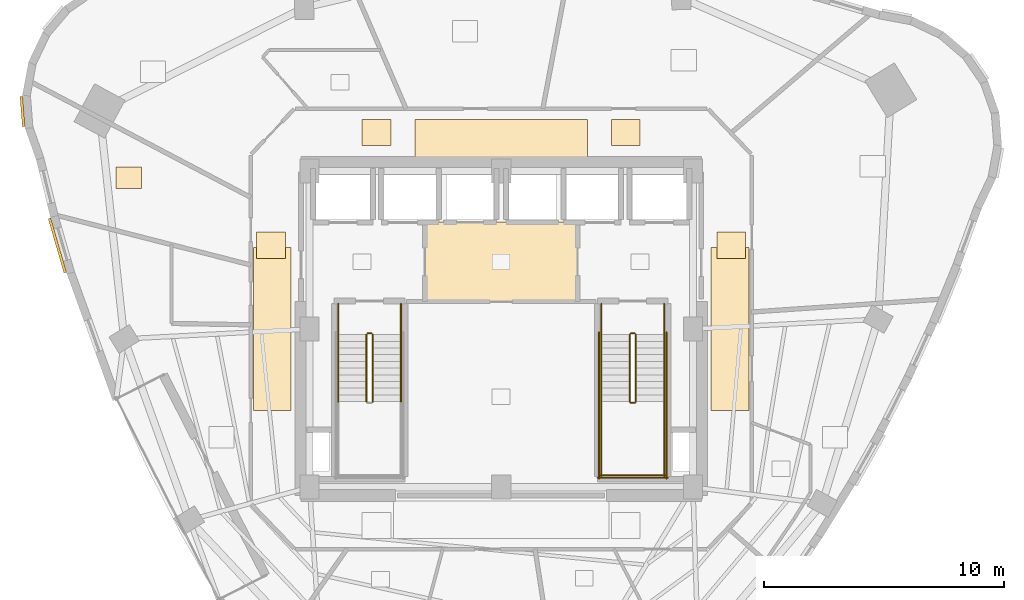
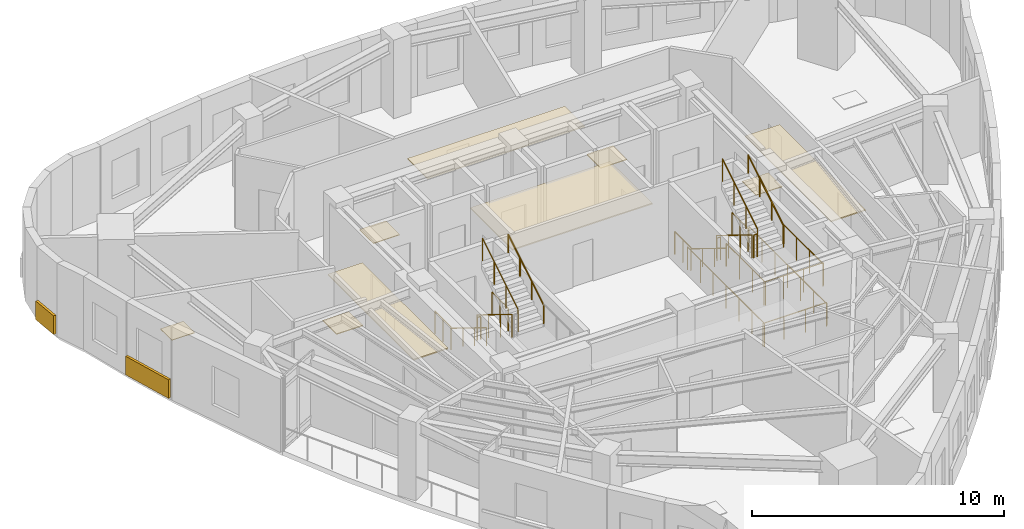
# One storey, part 11 of 12: 21 railings, 11 coverings.
"""IFC4 building model written with IfcOpenShell, lengths in metres."""

from ifc_helpers import new_model, si_unit, direction, frame, origin, origin_2d, place, context, subcontext, project, spatial, rectangle, circle, extrude, material, layer, layer_set, type_object, element, save


model = new_model("IFC4")

# Units and contexts
model_context = context("Model", 3, precision=1e-05, world=origin(), true_north=direction((0.0, 1.0)))
body_context = subcontext(model_context, "Body", "Model", "MODEL_VIEW")
ifc_project = project(units=[si_unit("LENGTHUNIT", "METRE"), si_unit("AREAUNIT", "SQUARE_METRE"), si_unit("VOLUMEUNIT", "CUBIC_METRE"), si_unit("PLANEANGLEUNIT", "RADIAN"), si_unit("MASSUNIT", "GRAM", prefix="KILO")], contexts=[model_context])

# Site, building, storey
site_placement = place(None, origin())
site = spatial("IfcSite", under=ifc_project, at=site_placement, CompositionType="ELEMENT")
building_placement = place(site_placement, origin())
building = spatial("IfcBuilding", under=site, at=building_placement, Name="Ndelora Gate Hotel", CompositionType="ELEMENT")
storey_placement = place(building_placement, frame((0.0, 0.0, 201.75)))
storey = spatial("IfcBuildingStorey", under=building, at=storey_placement, Name="L50", CompositionType="ELEMENT", Elevation=201.75)

# Coverings
ifc_material_1 = material(Name="Perforated Acoustic Gypsum Board", Category="gypsum")
ifc_layer_1 = layer(ifc_material_1, 0.054931640625)
ifc_layer_set_1 = layer_set([ifc_layer_1], Name="Perforated Acoustic Gypsum Board")
covering_type_1 = type_object("IfcCoveringType", Name="COV-CEIL-AC60", PredefinedType="CEILING", material=ifc_layer_set_1)
covering_1_placement = place(storey_placement, frame((0.0, 2.800048828125, 2.72265625), z_axis=(0.0, 0.0, 1.0), x_axis=(1.0, 0.0, 0.0)))
element("IfcCovering", 1, at=covering_1_placement, inside=storey, type_object=covering_type_1, Name="L50 Lift Lobby Acoustic Ceiling", PredefinedType="CEILING", context=body_context, shape_type="SweptSolid", body=[
    extrude(rectangle(XDim=6.39990234375, YDim=3.340087890625, at=origin_2d()), origin(), (0.0, 0.0, 1.0), 0.054931640625),
])
covering_2_placement = place(storey_placement, frame((0.0, 7.9599609375, 2.65234375), z_axis=(0.0, 0.0, 1.0), x_axis=(1.0, 0.0, 0.0)))
element("IfcCovering", 2, at=covering_2_placement, inside=storey, type_object=covering_type_1, Name="L50 Guest Corridor Acoustic Ceiling N", PredefinedType="CEILING", context=body_context, shape_type="SweptSolid", body=[
    extrude(rectangle(XDim=7.199951171875, YDim=1.580078125, at=origin_2d()), origin(), (0.0, 0.0, 1.0), 0.054931640625),
])
for number, where, z_axis, x_axis, name in (
    (3, (-9.550048828125, 0.0, 2.65234375), (0.0, 0.0, 1.0), (1.0, 0.0, 0.0), "L50 Guest Corridor Acoustic Ceiling W"),
    (4, (9.550048828125, 0.0, 2.65234375), (0.0, 0.0, 1.0), (1.0, 0.0, 0.0), "L50 Guest Corridor Acoustic Ceiling E"),
):
    element("IfcCovering", number, at=place(storey_placement, frame(where, z_axis=z_axis, x_axis=x_axis)), inside=storey, type_object=covering_type_1, Name=name, PredefinedType="CEILING", context=body_context, shape_type="SweptSolid", body=[
        extrude(rectangle(XDim=1.580078125, YDim=6.800048828125, at=origin_2d()), origin(), (0.0, 0.0, 1.0), 0.054931640625),
    ])
ifc_material_2 = material(Name="Terracotta Fired Clay Brick Slip Cladding", Category="masonry")
ifc_layer_2 = layer(ifc_material_2, 0.110107421875)
ifc_layer_set_2 = layer_set([ifc_layer_2], Name="Terracotta Fired Clay Brick Slip Cladding")
covering_type_2 = type_object("IfcCoveringType", Name="COV-CLAD-BRK", PredefinedType="CLADDING", material=ifc_layer_set_2)
covering_3_placement = place(storey_placement, frame((-19.97412109375, 9.070556640625, 0.10009765625), z_axis=(0.0, 0.0, 1.0), x_axis=(-0.078459095728, 0.996917333733, 0.0)))
element("IfcCovering", 5, at=covering_3_placement, inside=storey, type_object=covering_type_2, Name="L50 Rounded-Corner Brick Cladding Band 7", PredefinedType="CLADDING", context=body_context, shape_type="SweptSolid", body=[
    extrude(rectangle(XDim=1.257080078125, YDim=0.110107421875, at=origin_2d()), origin(), (0.0, 0.0, 1.0), 0.89990234375),
])
covering_4_placement = place(storey_placement, frame((-18.51953125, 3.484130859375, 0.10009765625), z_axis=(0.0, 0.0, 1.0), x_axis=(-0.278488259221, 0.960439633437, 0.0)))
element("IfcCovering", 6, at=covering_4_placement, inside=storey, type_object=covering_type_2, Name="L50 Rounded-Corner Brick Cladding Band 10", PredefinedType="CLADDING", context=body_context, shape_type="SweptSolid", body=[
    extrude(rectangle(XDim=2.35888671875, YDim=0.110107421875, at=origin_2d()), origin(), (0.0, 0.0, 1.0), 0.89990234375),
])
ifc_material_3 = material(Name="Engineered Highland Oak Parquet", Category="wood")
ifc_layer_3 = layer(ifc_material_3, 0.030029296875)
ifc_layer_set_3 = layer_set([ifc_layer_3], Name="Engineered Highland Oak Parquet")
covering_type_3 = type_object("IfcCoveringType", Name="COV-FLR-PARQ", PredefinedType="FLOORING", material=ifc_layer_set_3)
covering_5_placement = place(storey_placement, frame((-15.541748046875, 6.30517578125, 0.0), z_axis=(0.0, 0.0, 1.0), x_axis=(1.0, 0.0, 0.0)))
element("IfcCovering", 7, at=covering_5_placement, inside=storey, type_object=covering_type_3, Name="L50 Housekeeping and Linen Room Oak Parquet Flooring", PredefinedType="FLOORING", context=body_context, shape_type="SweptSolid", body=[
    extrude(rectangle(XDim=1.050048828125, YDim=0.89990234375, at=origin_2d()), origin(), (0.0, 0.0, 1.0), 0.030029296875),
])
ifc_material_4 = material(Name="Polished Highland Stone Terrazzo", Category="masonry")
ifc_layer_4 = layer(ifc_material_4, 0.034912109375)
ifc_layer_set_4 = layer_set([ifc_layer_4], Name="Polished Highland Stone Terrazzo")
covering_type_4 = type_object("IfcCoveringType", Name="COV-FLR-TERZ", PredefinedType="FLOORING", material=ifc_layer_set_4)
for number, where, z_axis, x_axis, name in (
    (8, (-5.199951171875, 8.199951171875, 0.0), (0.0, 0.0, 1.0), (1.0, 0.0, 0.0), "L50 Corridor Threshold Terrazzo Inlay NW"),
    (9, (5.199951171875, 8.199951171875, 0.0), (0.0, 0.0, 1.0), (1.0, 0.0, 0.0), "L50 Corridor Threshold Terrazzo Inlay NE"),
    (10, (-9.60009765625, 3.5, 0.0), (0.0, 0.0, 1.0), (1.0, 0.0, 0.0), "L50 Corridor Threshold Terrazzo Inlay W"),
    (11, (9.60009765625, 3.5, 0.0), (0.0, 0.0, 1.0), (1.0, 0.0, 0.0), "L50 Corridor Threshold Terrazzo Inlay E"),
):
    element("IfcCovering", number, at=place(storey_placement, frame(where, z_axis=z_axis, x_axis=x_axis)), inside=storey, type_object=covering_type_4, Name=name, PredefinedType="FLOORING", context=body_context, shape_type="SweptSolid", body=[
        extrude(rectangle(XDim=1.199951171875, YDim=1.10009765625, at=origin_2d()), origin(), (0.0, 0.0, 1.0), 0.034912109375),
    ])

# Railings
ifc_material_5 = material(Name="Painted Galvanized Steel Balustrade", Category="steel")
ifc_layer_5 = layer(ifc_material_5, 0.06005859375)
ifc_layer_set_5 = layer_set([ifc_layer_5], Name="Painted Galvanized Steel Balustrade")
railing_type_1 = type_object("IfcRailingType", Name="RL-STAIR-GD", PredefinedType="GUARDRAIL", material=ifc_layer_set_5)
railing_1_placement = place(storey_placement, frame((-5.6201171875, -0.22998046875, 0.172607421875)))
element("IfcRailing", 12, at=railing_1_placement, inside=storey, type_object=railing_type_1, Name="L50 ST4 stair guard 1", PredefinedType="GUARDRAIL", context=body_context, shape_type="SweptSolid", body=[
    extrude(circle(Radius=0.02392578125, at=origin_2d()), frame((0.0, 0.0, 1.10595703125), z_axis=(0.0, -0.851089632645, 0.525020415988), x_axis=(1.0, 0.0, 0.0)), (0.0, 0.0, 1.0), 3.2900390625),
    extrude(circle(Radius=0.02099609375, at=origin_2d()), origin(), (0.0, 0.0, 1.0), 1.081787109375),
    extrude(circle(Radius=0.02099609375, at=origin_2d()), frame((0.0, -0.933349609375, 0.57568359375)), (0.0, 0.0, 1.0), 1.081787109375),
    extrude(circle(Radius=0.02099609375, at=origin_2d()), frame((0.0, -1.86669921875, 1.151611328125)), (0.0, 0.0, 1.0), 1.081787109375),
    extrude(circle(Radius=0.02099609375, at=origin_2d()), frame((0.0, -2.800048828125, 1.727294921875)), (0.0, 0.0, 1.0), 1.081787109375),
])
railing_2_placement = place(storey_placement, frame((-5.360107421875, -3.030029296875, 2.07275390625)))
element("IfcRailing", 13, at=railing_2_placement, inside=storey, type_object=railing_type_1, Name="L50 ST4 stair guard 6", PredefinedType="GUARDRAIL", context=body_context, shape_type="SweptSolid", body=[
    extrude(circle(Radius=0.02392578125, at=origin_2d()), frame((0.0, 0.0, 1.10595703125), z_axis=(0.0, 0.851089632645, 0.525020415988), x_axis=(-1.0, 0.0, 0.0)), (0.0, 0.0, 1.0), 3.2900390625),
    extrude(circle(Radius=0.02099609375, at=origin_2d()), origin(), (0.0, 0.0, 1.0), 1.081787109375),
    extrude(circle(Radius=0.02099609375, at=origin_2d()), frame((0.0, 0.933349609375, 0.57568359375)), (0.0, 0.0, 1.0), 1.081787109375),
    extrude(circle(Radius=0.02099609375, at=origin_2d()), frame((0.0, 1.86669921875, 1.151611328125)), (0.0, 0.0, 1.0), 1.081787109375),
    extrude(circle(Radius=0.02099609375, at=origin_2d()), frame((0.0, 2.800048828125, 1.727294921875)), (0.0, 0.0, 1.0), 1.081787109375),
])
railing_3_placement = place(storey_placement, frame((-5.570068359375, -0.179931640625, 0.0)))
element("IfcRailing", 14, at=railing_3_placement, inside=storey, type_object=railing_type_1, Name="L50 ST4 stair guard 7", PredefinedType="GUARDRAIL", context=body_context, shape_type="SweptSolid", body=[
    extrude(circle(Radius=0.02392578125, at=origin_2d()), frame((0.0, 0.0, 1.10595703125), z_axis=(1.0, 0.0, 0.0), x_axis=(0.0, 1.0, 0.0)), (0.0, 0.0, 1.0), 0.16015625),
    extrude(circle(Radius=0.02099609375, at=origin_2d()), origin(), (0.0, 0.0, 1.0), 1.081787109375),
    extrude(circle(Radius=0.02099609375, at=origin_2d()), frame((0.16015625, 0.0, 0.0)), (0.0, 0.0, 1.0), 1.081787109375),
])
for number, where, name in (
    (15, (-6.800048828125, 1.050048828125, 0.0), "L50 ST4 stair guard 8"),
    (16, (-4.179931640625, 1.050048828125, 0.0), "L50 ST4 stair guard 9"),
):
    element("IfcRailing", number, at=place(storey_placement, frame(where)), inside=storey, type_object=railing_type_1, Name=name, PredefinedType="GUARDRAIL", context=body_context, shape_type="SweptSolid", body=[
        extrude(circle(Radius=0.02392578125, at=origin_2d()), frame((0.0, 0.0, 1.10595703125), z_axis=(0.0, -1.0, 0.0), x_axis=(1.0, 0.0, 0.0)), (0.0, 0.0, 1.0), 1.280029296875),
        extrude(circle(Radius=0.02099609375, at=origin_2d()), origin(), (0.0, 0.0, 1.0), 1.081787109375),
        extrude(circle(Radius=0.02099609375, at=origin_2d()), frame((0.0, -0.64013671875, 0.0)), (0.0, 0.0, 1.0), 1.081787109375),
        extrude(circle(Radius=0.02099609375, at=origin_2d()), frame((0.0, -1.280029296875, 0.0)), (0.0, 0.0, 1.0), 1.081787109375),
    ])
railing_4_placement = place(storey_placement, frame((5.360107421875, -0.22998046875, 0.172607421875)))
element("IfcRailing", 17, at=railing_4_placement, inside=storey, type_object=railing_type_1, Name="L50 ST5 stair guard 1", PredefinedType="GUARDRAIL", context=body_context, shape_type="SweptSolid", body=[
    extrude(circle(Radius=0.02392578125, at=origin_2d()), frame((0.0, 0.0, 1.10595703125), z_axis=(0.0, -0.851089632645, 0.525020415988), x_axis=(1.0, 0.0, 0.0)), (0.0, 0.0, 1.0), 3.2900390625),
    extrude(circle(Radius=0.02099609375, at=origin_2d()), origin(), (0.0, 0.0, 1.0), 1.081787109375),
    extrude(circle(Radius=0.02099609375, at=origin_2d()), frame((0.0, -0.933349609375, 0.57568359375)), (0.0, 0.0, 1.0), 1.081787109375),
    extrude(circle(Radius=0.02099609375, at=origin_2d()), frame((0.0, -1.86669921875, 1.151611328125)), (0.0, 0.0, 1.0), 1.081787109375),
    extrude(circle(Radius=0.02099609375, at=origin_2d()), frame((0.0, -2.800048828125, 1.727294921875)), (0.0, 0.0, 1.0), 1.081787109375),
])
railing_5_placement = place(storey_placement, frame((5.409912109375, -3.080078125, 1.89990234375)))
element("IfcRailing", 18, at=railing_5_placement, inside=storey, type_object=railing_type_1, Name="L50 ST5 stair guard 2", PredefinedType="GUARDRAIL", context=body_context, shape_type="SweptSolid", body=[
    extrude(circle(Radius=0.02392578125, at=origin_2d()), frame((0.0, 0.0, 1.10595703125), z_axis=(1.0, 0.0, 0.0), x_axis=(0.0, 1.0, 0.0)), (0.0, 0.0, 1.0), 0.16015625),
    extrude(circle(Radius=0.02099609375, at=origin_2d()), origin(), (0.0, 0.0, 1.0), 1.081787109375),
    extrude(circle(Radius=0.02099609375, at=origin_2d()), frame((0.16015625, 0.0, 0.0)), (0.0, 0.0, 1.0), 1.081787109375),
])
for number, where, name in (
    (19, (4.179931640625, -3.030029296875, 1.89990234375), "L50 ST5 stair guard 3"),
    (20, (6.800048828125, -3.030029296875, 1.89990234375), "L50 ST5 stair guard 4"),
):
    element("IfcRailing", number, at=place(storey_placement, frame(where)), inside=storey, type_object=railing_type_1, Name=name, PredefinedType="GUARDRAIL", context=body_context, shape_type="SweptSolid", body=[
        extrude(circle(Radius=0.02392578125, at=origin_2d()), frame((0.0, 0.0, 1.10595703125), z_axis=(0.0, -1.0, 0.0), x_axis=(1.0, 0.0, 0.0)), (0.0, 0.0, 1.0), 3.119873046875),
        extrude(circle(Radius=0.02099609375, at=origin_2d()), origin(), (0.0, 0.0, 1.0), 1.081787109375),
        extrude(circle(Radius=0.02099609375, at=origin_2d()), frame((0.0, -1.0400390625, 0.0)), (0.0, 0.0, 1.0), 1.081787109375),
        extrude(circle(Radius=0.02099609375, at=origin_2d()), frame((0.0, -2.079833984375, 0.0)), (0.0, 0.0, 1.0), 1.081787109375),
        extrude(circle(Radius=0.02099609375, at=origin_2d()), frame((0.0, -3.119873046875, 0.0)), (0.0, 0.0, 1.0), 1.081787109375),
    ])
railing_6_placement = place(storey_placement, frame((4.1298828125, -6.10009765625, 1.89990234375)))
element("IfcRailing", 21, at=railing_6_placement, inside=storey, type_object=railing_type_1, Name="L50 ST5 stair guard 5", PredefinedType="GUARDRAIL", context=body_context, shape_type="SweptSolid", body=[
    extrude(circle(Radius=0.02392578125, at=origin_2d()), frame((0.0, 0.0, 1.10595703125), z_axis=(1.0, 0.0, 0.0), x_axis=(0.0, 1.0, 0.0)), (0.0, 0.0, 1.0), 2.72021484375),
    extrude(circle(Radius=0.02099609375, at=origin_2d()), origin(), (0.0, 0.0, 1.0), 1.081787109375),
    extrude(circle(Radius=0.02099609375, at=origin_2d()), frame((0.90673828125, 0.0, 0.0)), (0.0, 0.0, 1.0), 1.081787109375),
    extrude(circle(Radius=0.02099609375, at=origin_2d()), frame((1.8134765625, 0.0, 0.0)), (0.0, 0.0, 1.0), 1.081787109375),
    extrude(circle(Radius=0.02099609375, at=origin_2d()), frame((2.72021484375, 0.0, 0.0)), (0.0, 0.0, 1.0), 1.081787109375),
])
railing_7_placement = place(storey_placement, frame((5.6201171875, -3.030029296875, 2.07275390625)))
element("IfcRailing", 22, at=railing_7_placement, inside=storey, type_object=railing_type_1, Name="L50 ST5 stair guard 6", PredefinedType="GUARDRAIL", context=body_context, shape_type="SweptSolid", body=[
    extrude(circle(Radius=0.02392578125, at=origin_2d()), frame((0.0, 0.0, 1.10595703125), z_axis=(0.0, 0.851089632645, 0.525020415988), x_axis=(-1.0, 0.0, 0.0)), (0.0, 0.0, 1.0), 3.2900390625),
    extrude(circle(Radius=0.02099609375, at=origin_2d()), origin(), (0.0, 0.0, 1.0), 1.081787109375),
    extrude(circle(Radius=0.02099609375, at=origin_2d()), frame((0.0, 0.933349609375, 0.57568359375)), (0.0, 0.0, 1.0), 1.081787109375),
    extrude(circle(Radius=0.02099609375, at=origin_2d()), frame((0.0, 1.86669921875, 1.151611328125)), (0.0, 0.0, 1.0), 1.081787109375),
    extrude(circle(Radius=0.02099609375, at=origin_2d()), frame((0.0, 2.800048828125, 1.727294921875)), (0.0, 0.0, 1.0), 1.081787109375),
])
railing_8_placement = place(storey_placement, frame((5.409912109375, -0.179931640625, 0.0)))
element("IfcRailing", 23, at=railing_8_placement, inside=storey, type_object=railing_type_1, Name="L50 ST5 stair guard 7", PredefinedType="GUARDRAIL", context=body_context, shape_type="SweptSolid", body=[
    extrude(circle(Radius=0.02392578125, at=origin_2d()), frame((0.0, 0.0, 1.10595703125), z_axis=(1.0, 0.0, 0.0), x_axis=(0.0, 1.0, 0.0)), (0.0, 0.0, 1.0), 0.16015625),
    extrude(circle(Radius=0.02099609375, at=origin_2d()), origin(), (0.0, 0.0, 1.0), 1.081787109375),
    extrude(circle(Radius=0.02099609375, at=origin_2d()), frame((0.16015625, 0.0, 0.0)), (0.0, 0.0, 1.0), 1.081787109375),
])
for number, where, name in (
    (24, (4.179931640625, 1.050048828125, 0.0), "L50 ST5 stair guard 8"),
    (25, (6.800048828125, 1.050048828125, 0.0), "L50 ST5 stair guard 9"),
):
    element("IfcRailing", number, at=place(storey_placement, frame(where)), inside=storey, type_object=railing_type_1, Name=name, PredefinedType="GUARDRAIL", context=body_context, shape_type="SweptSolid", body=[
        extrude(circle(Radius=0.02392578125, at=origin_2d()), frame((0.0, 0.0, 1.10595703125), z_axis=(0.0, -1.0, 0.0), x_axis=(1.0, 0.0, 0.0)), (0.0, 0.0, 1.0), 1.280029296875),
        extrude(circle(Radius=0.02099609375, at=origin_2d()), origin(), (0.0, 0.0, 1.0), 1.081787109375),
        extrude(circle(Radius=0.02099609375, at=origin_2d()), frame((0.0, -0.64013671875, 0.0)), (0.0, 0.0, 1.0), 1.081787109375),
        extrude(circle(Radius=0.02099609375, at=origin_2d()), frame((0.0, -1.280029296875, 0.0)), (0.0, 0.0, 1.0), 1.081787109375),
    ])
for number, where, name in (
    (26, (4.080078125, -0.1298828125, 0.0), "L50 ST5 stair guard 10"),
    (27, (6.89990234375, -0.1298828125, 0.0), "L50 ST5 stair guard 11"),
):
    element("IfcRailing", number, at=place(storey_placement, frame(where)), inside=storey, type_object=railing_type_1, Name=name, PredefinedType="GUARDRAIL", context=body_context, shape_type="SweptSolid", body=[
        extrude(circle(Radius=0.02392578125, at=origin_2d()), frame((0.0, 0.0, 1.10595703125), z_axis=(0.0, -1.0, 0.0), x_axis=(1.0, 0.0, 0.0)), (0.0, 0.0, 1.0), 6.1201171875),
        extrude(circle(Radius=0.02099609375, at=origin_2d()), origin(), (0.0, 0.0, 1.0), 1.081787109375),
        extrude(circle(Radius=0.02099609375, at=origin_2d()), frame((0.0, -1.02001953125, 0.0)), (0.0, 0.0, 1.0), 1.081787109375),
        extrude(circle(Radius=0.02099609375, at=origin_2d()), frame((0.0, -2.0400390625, 0.0)), (0.0, 0.0, 1.0), 1.081787109375),
        extrude(circle(Radius=0.02099609375, at=origin_2d()), frame((0.0, -3.06005859375, 0.0)), (0.0, 0.0, 1.0), 1.081787109375),
        extrude(circle(Radius=0.02099609375, at=origin_2d()), frame((0.0, -4.080078125, 0.0)), (0.0, 0.0, 1.0), 1.081787109375),
        extrude(circle(Radius=0.02099609375, at=origin_2d()), frame((0.0, -5.10009765625, 0.0)), (0.0, 0.0, 1.0), 1.081787109375),
        extrude(circle(Radius=0.02099609375, at=origin_2d()), frame((0.0, -6.1201171875, 0.0)), (0.0, 0.0, 1.0), 1.081787109375),
    ])
railing_9_placement = place(storey_placement, frame((4.030029296875, -6.199951171875, 0.0)))
element("IfcRailing", 28, at=railing_9_placement, inside=storey, type_object=railing_type_1, Name="L50 ST5 stair guard 12", PredefinedType="GUARDRAIL", context=body_context, shape_type="SweptSolid", body=[
    extrude(circle(Radius=0.02392578125, at=origin_2d()), frame((0.0, 0.0, 1.10595703125), z_axis=(1.0, 0.0, 0.0), x_axis=(0.0, 1.0, 0.0)), (0.0, 0.0, 1.0), 2.919921875),
    extrude(circle(Radius=0.02099609375, at=origin_2d()), origin(), (0.0, 0.0, 1.0), 1.081787109375),
    extrude(circle(Radius=0.02099609375, at=origin_2d()), frame((0.973388671875, 0.0, 0.0)), (0.0, 0.0, 1.0), 1.081787109375),
    extrude(circle(Radius=0.02099609375, at=origin_2d()), frame((1.946533203125, 0.0, 0.0)), (0.0, 0.0, 1.0), 1.081787109375),
    extrude(circle(Radius=0.02099609375, at=origin_2d()), frame((2.919921875, 0.0, 0.0)), (0.0, 0.0, 1.0), 1.081787109375),
])
ifc_material_6 = material(Name="Brushed Stainless Steel 316", Category="steel")
ifc_layer_6 = layer(ifc_material_6, 0.050048828125)
ifc_layer_set_6 = layer_set([ifc_layer_6], Name="Brushed Stainless Steel 316")
railing_type_2 = type_object("IfcRailingType", Name="RL-STAIR-HR", PredefinedType="HANDRAIL", material=ifc_layer_set_6)
railing_10_placement = place(storey_placement, frame((-6.800048828125, -0.22998046875, 0.172607421875)))
element("IfcRailing", 29, at=railing_10_placement, inside=storey, type_object=railing_type_2, Name="L50 ST4 stair handrail 1", PredefinedType="HANDRAIL", context=body_context, shape_type="SweptSolid", body=[
    extrude(circle(Radius=0.02392578125, at=origin_2d()), frame((0.0, 0.0, 0.8759765625), z_axis=(0.0, -0.851089632645, 0.525020415988), x_axis=(1.0, 0.0, 0.0)), (0.0, 0.0, 1.0), 3.2900390625),
    extrude(circle(Radius=0.02099609375, at=origin_2d()), origin(), (0.0, 0.0, 1.0), 0.851806640625),
    extrude(circle(Radius=0.02099609375, at=origin_2d()), frame((0.0, -0.933349609375, 0.57568359375)), (0.0, 0.0, 1.0), 0.851806640625),
    extrude(circle(Radius=0.02099609375, at=origin_2d()), frame((0.0, -1.86669921875, 1.151611328125)), (0.0, 0.0, 1.0), 0.851806640625),
    extrude(circle(Radius=0.02099609375, at=origin_2d()), frame((0.0, -2.800048828125, 1.727294921875)), (0.0, 0.0, 1.0), 0.851806640625),
])
railing_11_placement = place(storey_placement, frame((-4.179931640625, -3.030029296875, 2.07275390625)))
element("IfcRailing", 30, at=railing_11_placement, inside=storey, type_object=railing_type_2, Name="L50 ST4 stair handrail 2", PredefinedType="HANDRAIL", context=body_context, shape_type="SweptSolid", body=[
    extrude(circle(Radius=0.02392578125, at=origin_2d()), frame((0.0, 0.0, 0.8759765625), z_axis=(0.0, 0.851089632645, 0.525020415988), x_axis=(-1.0, 0.0, 0.0)), (0.0, 0.0, 1.0), 3.2900390625),
    extrude(circle(Radius=0.02099609375, at=origin_2d()), origin(), (0.0, 0.0, 1.0), 0.851806640625),
    extrude(circle(Radius=0.02099609375, at=origin_2d()), frame((0.0, 0.933349609375, 0.57568359375)), (0.0, 0.0, 1.0), 0.851806640625),
    extrude(circle(Radius=0.02099609375, at=origin_2d()), frame((0.0, 1.86669921875, 1.151611328125)), (0.0, 0.0, 1.0), 0.851806640625),
    extrude(circle(Radius=0.02099609375, at=origin_2d()), frame((0.0, 2.800048828125, 1.727294921875)), (0.0, 0.0, 1.0), 0.851806640625),
])
railing_12_placement = place(storey_placement, frame((4.179931640625, -0.22998046875, 0.172607421875)))
element("IfcRailing", 31, at=railing_12_placement, inside=storey, type_object=railing_type_2, Name="L50 ST5 stair handrail 1", PredefinedType="HANDRAIL", context=body_context, shape_type="SweptSolid", body=[
    extrude(circle(Radius=0.02392578125, at=origin_2d()), frame((0.0, 0.0, 0.8759765625), z_axis=(0.0, -0.851089632645, 0.525020415988), x_axis=(1.0, 0.0, 0.0)), (0.0, 0.0, 1.0), 3.2900390625),
    extrude(circle(Radius=0.02099609375, at=origin_2d()), origin(), (0.0, 0.0, 1.0), 0.851806640625),
    extrude(circle(Radius=0.02099609375, at=origin_2d()), frame((0.0, -0.933349609375, 0.57568359375)), (0.0, 0.0, 1.0), 0.851806640625),
    extrude(circle(Radius=0.02099609375, at=origin_2d()), frame((0.0, -1.86669921875, 1.151611328125)), (0.0, 0.0, 1.0), 0.851806640625),
    extrude(circle(Radius=0.02099609375, at=origin_2d()), frame((0.0, -2.800048828125, 1.727294921875)), (0.0, 0.0, 1.0), 0.851806640625),
])
railing_13_placement = place(storey_placement, frame((6.800048828125, -3.030029296875, 2.07275390625)))
element("IfcRailing", 32, at=railing_13_placement, inside=storey, type_object=railing_type_2, Name="L50 ST5 stair handrail 2", PredefinedType="HANDRAIL", context=body_context, shape_type="SweptSolid", body=[
    extrude(circle(Radius=0.02392578125, at=origin_2d()), frame((0.0, 0.0, 0.8759765625), z_axis=(0.0, 0.851089632645, 0.525020415988), x_axis=(-1.0, 0.0, 0.0)), (0.0, 0.0, 1.0), 3.2900390625),
    extrude(circle(Radius=0.02099609375, at=origin_2d()), origin(), (0.0, 0.0, 1.0), 0.851806640625),
    extrude(circle(Radius=0.02099609375, at=origin_2d()), frame((0.0, 0.933349609375, 0.57568359375)), (0.0, 0.0, 1.0), 0.851806640625),
    extrude(circle(Radius=0.02099609375, at=origin_2d()), frame((0.0, 1.86669921875, 1.151611328125)), (0.0, 0.0, 1.0), 0.851806640625),
    extrude(circle(Radius=0.02099609375, at=origin_2d()), frame((0.0, 2.800048828125, 1.727294921875)), (0.0, 0.0, 1.0), 0.851806640625),
])

save(model, "model.ifc")
